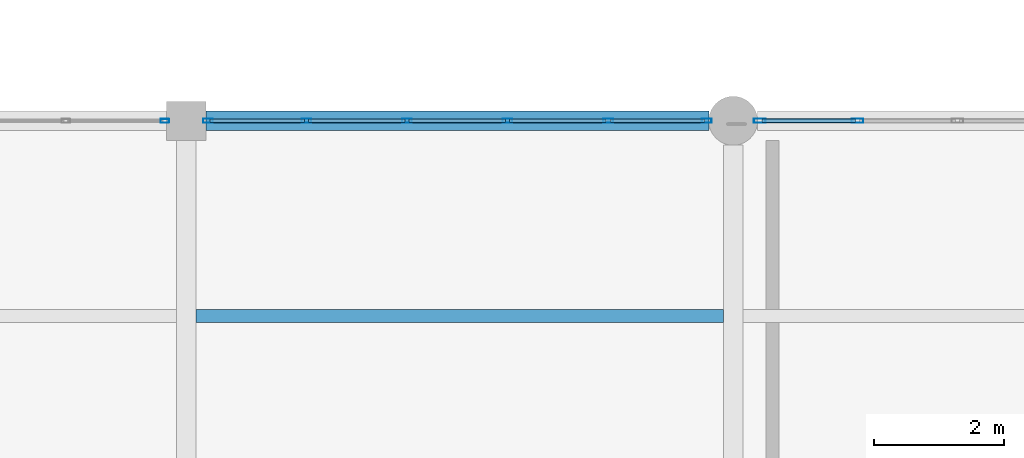
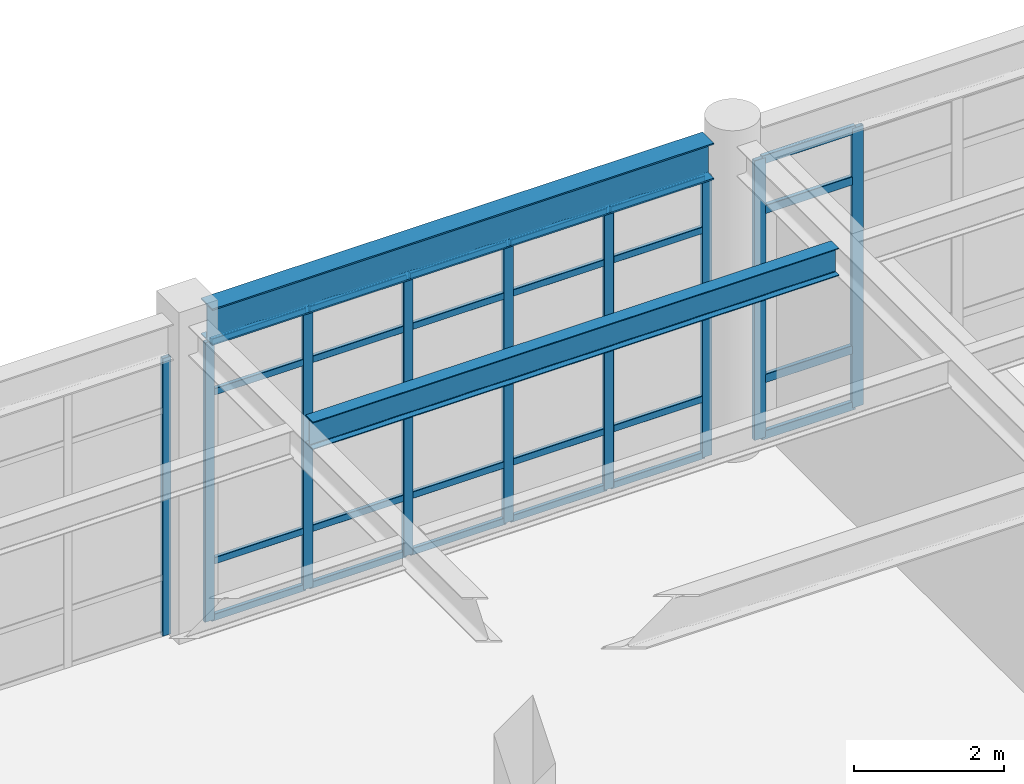
# One storey, part 42 of 80: 33 members, 2 beams, 3 elements without a shape of their own.
"""IFC4 building model written with IfcOpenShell, lengths in metres."""

from ifc_helpers import new_model, si_unit, direction, frame, origin, origin_2d, place, context, subcontext, project, spatial, hollow_rectangle, i_section, extrude, material, material_profile, profile_set, type_object, element, aggregate, save


model = new_model("IFC4")

# Units and contexts
model_context = context("Model", 3, precision=1e-05, world=origin(), true_north=direction((0.0, 1.0)))
body_context = subcontext(model_context, "Body", "Model", "MODEL_VIEW")
ifc_project = project(units=[si_unit("LENGTHUNIT", "METRE"), si_unit("AREAUNIT", "SQUARE_METRE"), si_unit("VOLUMEUNIT", "CUBIC_METRE"), si_unit("PLANEANGLEUNIT", "RADIAN"), si_unit("MASSUNIT", "GRAM", prefix="KILO")], contexts=[model_context])

# Site, building, storey
site_placement = place(None, origin())
site = spatial("IfcSite", under=ifc_project, at=site_placement, CompositionType="ELEMENT")
building_placement = place(site_placement, origin())
building = spatial("IfcBuilding", under=site, at=building_placement, Name="Canglan Escarpment Cableway Terminal", CompositionType="ELEMENT")
storey_placement = place(building_placement, frame((0.0, 0.0, 19.199951171875)))
storey = spatial("IfcBuildingStorey", under=building, at=storey_placement, Name="L04", CompositionType="ELEMENT", Elevation=19.199951171875)

# Beam
ifc_material_1 = material(Name="Steel Q355C", Category="steel")
ifc_material_profile_1 = material_profile(ifc_material_1, i_section(OverallWidth=0.302001953125, OverallDepth=0.593994140625, WebThickness=0.013916015625, FlangeThickness=0.02294921875, FilletRadius=0.028076171875, at=origin_2d()), Name="HM 594x302x14x23")
ifc_profile_set_1 = profile_set([ifc_material_profile_1], Name="Steel Q355C")
beam_type_1 = type_object("IfcBeamType", Name="BM-HM594", PredefinedType="BEAM", material=ifc_profile_set_1)
beam_1_placement = place(storey_placement, frame((120.199951171875, 115.0, 4.863037109375), z_axis=(1.0, 0.0, 0.0), x_axis=(0.0, 1.0, 0.0)))
element("IfcBeam", 1, at=beam_1_placement, inside=storey, type_object=beam_type_1, Name="Primary structural girder B-07", PredefinedType="BEAM", context=body_context, shape_type="SweptSolid", body=[
    extrude(i_section(OverallWidth=0.302001953125, OverallDepth=0.593994140625, WebThickness=0.013916015625, FlangeThickness=0.02294921875, FilletRadius=0.028076171875, at=origin_2d()), origin(), (0.0, 0.0, 1.0), 7.72509765625),
])

# Curtain wall, member
ifc_material_2 = material(Name="Anodized bronze aluminium and Low-E double glazing", Category="aluminium")
curtain_wall_type_1 = type_object("IfcCurtainWallType", Name="CW-BAY-7750x4525", PredefinedType="NOTDEFINED", material=ifc_material_2)
curtain_wall_1_placement = place(storey_placement, origin())
curtain_wall_1 = element("IfcCurtainWall", 2, at=curtain_wall_1_placement, inside=storey, type_object=curtain_wall_type_1, Name="Classical bay-between-piers glazed curtain wall CW-52", PredefinedType="NOTDEFINED")
ifc_material_3 = material(Name="Thermally broken anodized aluminium 6063-T6", Category="aluminium")
ifc_material_profile_2 = material_profile(ifc_material_3, hollow_rectangle(XDim=0.06005859375, YDim=0.1298828125, WallThickness=0.0029296875, InnerFilletRadius=0.0029296875, OuterFilletRadius=0.006103515625, at=origin_2d()), Name="ALU-MULL 60x130x3")
ifc_profile_set_2 = profile_set([ifc_material_profile_2], Name="Thermally broken anodized aluminium 6063-T6")
member_type_1 = type_object("IfcMemberType", Name="CWM-01", PredefinedType="MULLION", material=ifc_profile_set_2)
member_1_placement = place(storey_placement, frame((119.570068359375, 115.0, 0.0), z_axis=(0.0, 0.0, 1.0), x_axis=(0.0, -1.0, 0.0)))
member_1 = element("IfcMember", 3, at=member_1_placement, type_object=member_type_1, Name="CW-52 mullion 1", PredefinedType="MULLION", context=body_context, shape_type="SweptSolid", body=[
    extrude(hollow_rectangle(XDim=0.06005859375, YDim=0.1298828125, WallThickness=0.0029296875, InnerFilletRadius=0.0029296875, OuterFilletRadius=0.006103515625, at=origin_2d()), origin(), (0.0, 0.0, 1.0), 4.52099609375),
])
aggregate(curtain_wall_1, [member_1])

# Curtain wall, members
curtain_wall_type_2 = type_object("IfcCurtainWallType", Name="CW-BAY-7725x4550", PredefinedType="NOTDEFINED", material=ifc_material_2)
curtain_wall_2_placement = place(storey_placement, origin())
curtain_wall_2 = element("IfcCurtainWall", 4, at=curtain_wall_2_placement, inside=storey, type_object=curtain_wall_type_2, Name="Classical bay-between-piers glazed curtain wall CW-53", PredefinedType="NOTDEFINED")
ifc_material_profile_3 = material_profile(ifc_material_3, hollow_rectangle(XDim=0.06494140625, YDim=0.14990234375, WallThickness=0.00341796875, InnerFilletRadius=0.00341796875, OuterFilletRadius=0.007080078125, at=origin_2d()), Name="ALU-MULL 65x150x3.5")
ifc_profile_set_3 = profile_set([ifc_material_profile_3], Name="Thermally broken anodized aluminium 6063-T6")
member_type_2 = type_object("IfcMemberType", Name="CWM-02", PredefinedType="MULLION", material=ifc_profile_set_3)
member_2_placement = place(storey_placement, frame((127.892578125, 115.0, 0.0), z_axis=(0.0, 0.0, 1.0), x_axis=(0.0, -1.0, 0.0)))
member_2 = element("IfcMember", 5, at=member_2_placement, type_object=member_type_2, Name="CW-53 mullion 1", PredefinedType="MULLION", context=body_context, shape_type="SweptSolid", body=[
    extrude(hollow_rectangle(XDim=0.06494140625, YDim=0.14990234375, WallThickness=0.00341796875, InnerFilletRadius=0.00341796875, OuterFilletRadius=0.007080078125, at=origin_2d()), origin(), (0.0, 0.0, 1.0), 4.551025390625),
])
member_3_placement = place(storey_placement, frame((126.3798828125, 115.0, 0.0), z_axis=(0.0, 0.0, 1.0), x_axis=(0.0, -1.0, 0.0)))
member_3 = element("IfcMember", 6, at=member_3_placement, type_object=member_type_2, Name="CW-53 mullion 2", PredefinedType="MULLION", context=body_context, shape_type="SweptSolid", body=[
    extrude(hollow_rectangle(XDim=0.06494140625, YDim=0.14990234375, WallThickness=0.00341796875, InnerFilletRadius=0.00341796875, OuterFilletRadius=0.007080078125, at=origin_2d()), origin(), (0.0, 0.0, 1.0), 4.551025390625),
])
member_4_placement = place(storey_placement, frame((124.8349609375, 115.0, 0.0), z_axis=(0.0, 0.0, 1.0), x_axis=(0.0, -1.0, 0.0)))
member_4 = element("IfcMember", 7, at=member_4_placement, type_object=member_type_2, Name="CW-53 mullion 3", PredefinedType="MULLION", context=body_context, shape_type="SweptSolid", body=[
    extrude(hollow_rectangle(XDim=0.06494140625, YDim=0.14990234375, WallThickness=0.00341796875, InnerFilletRadius=0.00341796875, OuterFilletRadius=0.007080078125, at=origin_2d()), origin(), (0.0, 0.0, 1.0), 4.551025390625),
])
member_5_placement = place(storey_placement, frame((123.2900390625, 115.0, 0.0), z_axis=(0.0, 0.0, 1.0), x_axis=(0.0, -1.0, 0.0)))
member_5 = element("IfcMember", 8, at=member_5_placement, type_object=member_type_2, Name="CW-53 mullion 4", PredefinedType="MULLION", context=body_context, shape_type="SweptSolid", body=[
    extrude(hollow_rectangle(XDim=0.06494140625, YDim=0.14990234375, WallThickness=0.00341796875, InnerFilletRadius=0.00341796875, OuterFilletRadius=0.007080078125, at=origin_2d()), origin(), (0.0, 0.0, 1.0), 4.551025390625),
])
member_6_placement = place(storey_placement, frame((121.7451171875, 115.0, 0.0), z_axis=(0.0, 0.0, 1.0), x_axis=(0.0, -1.0, 0.0)))
member_6 = element("IfcMember", 9, at=member_6_placement, type_object=member_type_2, Name="CW-53 mullion 5", PredefinedType="MULLION", context=body_context, shape_type="SweptSolid", body=[
    extrude(hollow_rectangle(XDim=0.06494140625, YDim=0.14990234375, WallThickness=0.00341796875, InnerFilletRadius=0.00341796875, OuterFilletRadius=0.007080078125, at=origin_2d()), origin(), (0.0, 0.0, 1.0), 4.551025390625),
])
member_7_placement = place(storey_placement, frame((120.232421875, 115.0, 0.0), z_axis=(0.0, 0.0, 1.0), x_axis=(0.0, -1.0, 0.0)))
member_7 = element("IfcMember", 10, at=member_7_placement, type_object=member_type_2, Name="CW-53 mullion 6", PredefinedType="MULLION", context=body_context, shape_type="SweptSolid", body=[
    extrude(hollow_rectangle(XDim=0.06494140625, YDim=0.14990234375, WallThickness=0.00341796875, InnerFilletRadius=0.00341796875, OuterFilletRadius=0.007080078125, at=origin_2d()), origin(), (0.0, 0.0, 1.0), 4.551025390625),
])

curtain_wall_type_3 = type_object("IfcCurtainWallType", Name="CW-BAY-7675x4550", PredefinedType="NOTDEFINED", material=ifc_material_2)
curtain_wall_3_placement = place(storey_placement, origin())
curtain_wall_3 = element("IfcCurtainWall", 11, at=curtain_wall_3_placement, inside=storey, type_object=curtain_wall_type_3, Name="Classical bay-between-piers glazed curtain wall CW-54", PredefinedType="NOTDEFINED")
ifc_material_profile_4 = material_profile(ifc_material_3, hollow_rectangle(XDim=0.06494140625, YDim=0.179931640625, WallThickness=0.00390625, InnerFilletRadius=0.00390625, OuterFilletRadius=0.008056640625, at=origin_2d()), Name="ALU-MULL 65x180x4")
ifc_profile_set_4 = profile_set([ifc_material_profile_4], Name="Thermally broken anodized aluminium 6063-T6")
member_type_3 = type_object("IfcMemberType", Name="CWM-03", PredefinedType="MULLION", material=ifc_profile_set_4)
member_8_placement = place(storey_placement, frame((130.2099609375, 115.0, 0.0), z_axis=(0.0, 0.0, 1.0), x_axis=(0.0, -1.0, 0.0)))
member_8 = element("IfcMember", 12, at=member_8_placement, type_object=member_type_3, Name="CW-54 mullion 5", PredefinedType="MULLION", context=body_context, shape_type="SweptSolid", body=[
    extrude(hollow_rectangle(XDim=0.06494140625, YDim=0.179931640625, WallThickness=0.00390625, InnerFilletRadius=0.00390625, OuterFilletRadius=0.008056640625, at=origin_2d()), origin(), (0.0, 0.0, 1.0), 4.551025390625),
])
member_9_placement = place(storey_placement, frame((128.70751953125, 115.0, 0.0), z_axis=(0.0, 0.0, 1.0), x_axis=(0.0, -1.0, 0.0)))
member_9 = element("IfcMember", 13, at=member_9_placement, type_object=member_type_3, Name="CW-54 mullion 6", PredefinedType="MULLION", context=body_context, shape_type="SweptSolid", body=[
    extrude(hollow_rectangle(XDim=0.06494140625, YDim=0.179931640625, WallThickness=0.00390625, InnerFilletRadius=0.00390625, OuterFilletRadius=0.008056640625, at=origin_2d()), origin(), (0.0, 0.0, 1.0), 4.551025390625),
])

# Member
ifc_material_profile_5 = material_profile(ifc_material_3, hollow_rectangle(XDim=0.06005859375, YDim=0.110107421875, WallThickness=0.0029296875, InnerFilletRadius=0.0029296875, OuterFilletRadius=0.006103515625, at=origin_2d()), Name="ALU-TRAN 60x110x3")
ifc_profile_set_5 = profile_set([ifc_material_profile_5], Name="Thermally broken anodized aluminium 6063-T6")
member_type_4 = type_object("IfcMemberType", Name="CWT-02", PredefinedType="USERDEFINED", material=ifc_profile_set_5)
member_10_placement = place(storey_placement, frame((127.860107421875, 115.0, 0.030029296875), z_axis=(-1.0, 0.0, 0.0), x_axis=(0.0, -1.0, 0.0)))
member_10 = element("IfcMember", 14, at=member_10_placement, type_object=member_type_4, Name="CW-53 transom 1.1", ObjectType="TRANSOM", PredefinedType="USERDEFINED", context=body_context, shape_type="SweptSolid", body=[
    extrude(hollow_rectangle(XDim=0.06005859375, YDim=0.110107421875, WallThickness=0.0029296875, InnerFilletRadius=0.0029296875, OuterFilletRadius=0.006103515625, at=origin_2d()), origin(), (0.0, 0.0, 1.0), 1.447509765625),
])

member_11_placement = place(storey_placement, frame((127.860107421875, 115.0, 0.949951171875), z_axis=(-1.0, 0.0, 0.0), x_axis=(0.0, -1.0, 0.0)))
member_11 = element("IfcMember", 15, at=member_11_placement, type_object=member_type_4, Name="CW-53 transom 1.2", ObjectType="TRANSOM", PredefinedType="USERDEFINED", context=body_context, shape_type="SweptSolid", body=[
    extrude(hollow_rectangle(XDim=0.06005859375, YDim=0.110107421875, WallThickness=0.0029296875, InnerFilletRadius=0.0029296875, OuterFilletRadius=0.006103515625, at=origin_2d()), origin(), (0.0, 0.0, 1.0), 1.447509765625),
])

member_12_placement = place(storey_placement, frame((127.860107421875, 115.0, 3.700927734375), z_axis=(-1.0, 0.0, 0.0), x_axis=(0.0, -1.0, 0.0)))
member_12 = element("IfcMember", 16, at=member_12_placement, type_object=member_type_4, Name="CW-53 transom 1.3", ObjectType="TRANSOM", PredefinedType="USERDEFINED", context=body_context, shape_type="SweptSolid", body=[
    extrude(hollow_rectangle(XDim=0.06005859375, YDim=0.110107421875, WallThickness=0.0029296875, InnerFilletRadius=0.0029296875, OuterFilletRadius=0.006103515625, at=origin_2d()), origin(), (0.0, 0.0, 1.0), 1.447509765625),
])

member_13_placement = place(storey_placement, frame((127.860107421875, 115.0, 4.52099609375), z_axis=(-1.0, 0.0, 0.0), x_axis=(0.0, -1.0, 0.0)))
member_13 = element("IfcMember", 17, at=member_13_placement, type_object=member_type_4, Name="CW-53 transom 1.4", ObjectType="TRANSOM", PredefinedType="USERDEFINED", context=body_context, shape_type="SweptSolid", body=[
    extrude(hollow_rectangle(XDim=0.06005859375, YDim=0.110107421875, WallThickness=0.0029296875, InnerFilletRadius=0.0029296875, OuterFilletRadius=0.006103515625, at=origin_2d()), origin(), (0.0, 0.0, 1.0), 1.447509765625),
])

member_14_placement = place(storey_placement, frame((126.347412109375, 115.0, 0.030029296875), z_axis=(-1.0, 0.0, 0.0), x_axis=(0.0, -1.0, 0.0)))
member_14 = element("IfcMember", 18, at=member_14_placement, type_object=member_type_4, Name="CW-53 transom 2.1", ObjectType="TRANSOM", PredefinedType="USERDEFINED", context=body_context, shape_type="SweptSolid", body=[
    extrude(hollow_rectangle(XDim=0.06005859375, YDim=0.110107421875, WallThickness=0.0029296875, InnerFilletRadius=0.0029296875, OuterFilletRadius=0.006103515625, at=origin_2d()), origin(), (0.0, 0.0, 1.0), 1.47998046875),
])

member_15_placement = place(storey_placement, frame((126.347412109375, 115.0, 0.949951171875), z_axis=(-1.0, 0.0, 0.0), x_axis=(0.0, -1.0, 0.0)))
member_15 = element("IfcMember", 19, at=member_15_placement, type_object=member_type_4, Name="CW-53 transom 2.2", ObjectType="TRANSOM", PredefinedType="USERDEFINED", context=body_context, shape_type="SweptSolid", body=[
    extrude(hollow_rectangle(XDim=0.06005859375, YDim=0.110107421875, WallThickness=0.0029296875, InnerFilletRadius=0.0029296875, OuterFilletRadius=0.006103515625, at=origin_2d()), origin(), (0.0, 0.0, 1.0), 1.47998046875),
])

member_16_placement = place(storey_placement, frame((126.347412109375, 115.0, 3.700927734375), z_axis=(-1.0, 0.0, 0.0), x_axis=(0.0, -1.0, 0.0)))
member_16 = element("IfcMember", 20, at=member_16_placement, type_object=member_type_4, Name="CW-53 transom 2.3", ObjectType="TRANSOM", PredefinedType="USERDEFINED", context=body_context, shape_type="SweptSolid", body=[
    extrude(hollow_rectangle(XDim=0.06005859375, YDim=0.110107421875, WallThickness=0.0029296875, InnerFilletRadius=0.0029296875, OuterFilletRadius=0.006103515625, at=origin_2d()), origin(), (0.0, 0.0, 1.0), 1.47998046875),
])

member_17_placement = place(storey_placement, frame((126.347412109375, 115.0, 4.52099609375), z_axis=(-1.0, 0.0, 0.0), x_axis=(0.0, -1.0, 0.0)))
member_17 = element("IfcMember", 21, at=member_17_placement, type_object=member_type_4, Name="CW-53 transom 2.4", ObjectType="TRANSOM", PredefinedType="USERDEFINED", context=body_context, shape_type="SweptSolid", body=[
    extrude(hollow_rectangle(XDim=0.06005859375, YDim=0.110107421875, WallThickness=0.0029296875, InnerFilletRadius=0.0029296875, OuterFilletRadius=0.006103515625, at=origin_2d()), origin(), (0.0, 0.0, 1.0), 1.47998046875),
])

member_18_placement = place(storey_placement, frame((124.802490234375, 115.0, 0.030029296875), z_axis=(-1.0, 0.0, 0.0), x_axis=(0.0, -1.0, 0.0)))
member_18 = element("IfcMember", 22, at=member_18_placement, type_object=member_type_4, Name="CW-53 transom 3.1", ObjectType="TRANSOM", PredefinedType="USERDEFINED", context=body_context, shape_type="SweptSolid", body=[
    extrude(hollow_rectangle(XDim=0.06005859375, YDim=0.110107421875, WallThickness=0.0029296875, InnerFilletRadius=0.0029296875, OuterFilletRadius=0.006103515625, at=origin_2d()), origin(), (0.0, 0.0, 1.0), 1.47998046875),
])

member_19_placement = place(storey_placement, frame((124.802490234375, 115.0, 0.949951171875), z_axis=(-1.0, 0.0, 0.0), x_axis=(0.0, -1.0, 0.0)))
member_19 = element("IfcMember", 23, at=member_19_placement, type_object=member_type_4, Name="CW-53 transom 3.2", ObjectType="TRANSOM", PredefinedType="USERDEFINED", context=body_context, shape_type="SweptSolid", body=[
    extrude(hollow_rectangle(XDim=0.06005859375, YDim=0.110107421875, WallThickness=0.0029296875, InnerFilletRadius=0.0029296875, OuterFilletRadius=0.006103515625, at=origin_2d()), origin(), (0.0, 0.0, 1.0), 1.47998046875),
])

member_20_placement = place(storey_placement, frame((124.802490234375, 115.0, 3.700927734375), z_axis=(-1.0, 0.0, 0.0), x_axis=(0.0, -1.0, 0.0)))
member_20 = element("IfcMember", 24, at=member_20_placement, type_object=member_type_4, Name="CW-53 transom 3.3", ObjectType="TRANSOM", PredefinedType="USERDEFINED", context=body_context, shape_type="SweptSolid", body=[
    extrude(hollow_rectangle(XDim=0.06005859375, YDim=0.110107421875, WallThickness=0.0029296875, InnerFilletRadius=0.0029296875, OuterFilletRadius=0.006103515625, at=origin_2d()), origin(), (0.0, 0.0, 1.0), 1.47998046875),
])

member_21_placement = place(storey_placement, frame((124.802490234375, 115.0, 4.52099609375), z_axis=(-1.0, 0.0, 0.0), x_axis=(0.0, -1.0, 0.0)))
member_21 = element("IfcMember", 25, at=member_21_placement, type_object=member_type_4, Name="CW-53 transom 3.4", ObjectType="TRANSOM", PredefinedType="USERDEFINED", context=body_context, shape_type="SweptSolid", body=[
    extrude(hollow_rectangle(XDim=0.06005859375, YDim=0.110107421875, WallThickness=0.0029296875, InnerFilletRadius=0.0029296875, OuterFilletRadius=0.006103515625, at=origin_2d()), origin(), (0.0, 0.0, 1.0), 1.47998046875),
])

member_22_placement = place(storey_placement, frame((123.257568359375, 115.0, 0.030029296875), z_axis=(-1.0, 0.0, 0.0), x_axis=(0.0, -1.0, 0.0)))
member_22 = element("IfcMember", 26, at=member_22_placement, type_object=member_type_4, Name="CW-53 transom 4.1", ObjectType="TRANSOM", PredefinedType="USERDEFINED", context=body_context, shape_type="SweptSolid", body=[
    extrude(hollow_rectangle(XDim=0.06005859375, YDim=0.110107421875, WallThickness=0.0029296875, InnerFilletRadius=0.0029296875, OuterFilletRadius=0.006103515625, at=origin_2d()), origin(), (0.0, 0.0, 1.0), 1.47998046875),
])

member_23_placement = place(storey_placement, frame((123.257568359375, 115.0, 0.949951171875), z_axis=(-1.0, 0.0, 0.0), x_axis=(0.0, -1.0, 0.0)))
member_23 = element("IfcMember", 27, at=member_23_placement, type_object=member_type_4, Name="CW-53 transom 4.2", ObjectType="TRANSOM", PredefinedType="USERDEFINED", context=body_context, shape_type="SweptSolid", body=[
    extrude(hollow_rectangle(XDim=0.06005859375, YDim=0.110107421875, WallThickness=0.0029296875, InnerFilletRadius=0.0029296875, OuterFilletRadius=0.006103515625, at=origin_2d()), origin(), (0.0, 0.0, 1.0), 1.47998046875),
])

member_24_placement = place(storey_placement, frame((123.257568359375, 115.0, 3.700927734375), z_axis=(-1.0, 0.0, 0.0), x_axis=(0.0, -1.0, 0.0)))
member_24 = element("IfcMember", 28, at=member_24_placement, type_object=member_type_4, Name="CW-53 transom 4.3", ObjectType="TRANSOM", PredefinedType="USERDEFINED", context=body_context, shape_type="SweptSolid", body=[
    extrude(hollow_rectangle(XDim=0.06005859375, YDim=0.110107421875, WallThickness=0.0029296875, InnerFilletRadius=0.0029296875, OuterFilletRadius=0.006103515625, at=origin_2d()), origin(), (0.0, 0.0, 1.0), 1.47998046875),
])

member_25_placement = place(storey_placement, frame((123.257568359375, 115.0, 4.52099609375), z_axis=(-1.0, 0.0, 0.0), x_axis=(0.0, -1.0, 0.0)))
member_25 = element("IfcMember", 29, at=member_25_placement, type_object=member_type_4, Name="CW-53 transom 4.4", ObjectType="TRANSOM", PredefinedType="USERDEFINED", context=body_context, shape_type="SweptSolid", body=[
    extrude(hollow_rectangle(XDim=0.06005859375, YDim=0.110107421875, WallThickness=0.0029296875, InnerFilletRadius=0.0029296875, OuterFilletRadius=0.006103515625, at=origin_2d()), origin(), (0.0, 0.0, 1.0), 1.47998046875),
])

member_26_placement = place(storey_placement, frame((121.71240234375, 115.0, 0.030029296875), z_axis=(-1.0, 0.0, 0.0), x_axis=(0.0, -1.0, 0.0)))
member_26 = element("IfcMember", 30, at=member_26_placement, type_object=member_type_4, Name="CW-53 transom 5.1", ObjectType="TRANSOM", PredefinedType="USERDEFINED", context=body_context, shape_type="SweptSolid", body=[
    extrude(hollow_rectangle(XDim=0.06005859375, YDim=0.110107421875, WallThickness=0.0029296875, InnerFilletRadius=0.0029296875, OuterFilletRadius=0.006103515625, at=origin_2d()), origin(), (0.0, 0.0, 1.0), 1.447509765625),
])

member_27_placement = place(storey_placement, frame((121.71240234375, 115.0, 0.949951171875), z_axis=(-1.0, 0.0, 0.0), x_axis=(0.0, -1.0, 0.0)))
member_27 = element("IfcMember", 31, at=member_27_placement, type_object=member_type_4, Name="CW-53 transom 5.2", ObjectType="TRANSOM", PredefinedType="USERDEFINED", context=body_context, shape_type="SweptSolid", body=[
    extrude(hollow_rectangle(XDim=0.06005859375, YDim=0.110107421875, WallThickness=0.0029296875, InnerFilletRadius=0.0029296875, OuterFilletRadius=0.006103515625, at=origin_2d()), origin(), (0.0, 0.0, 1.0), 1.447509765625),
])

member_28_placement = place(storey_placement, frame((121.71240234375, 115.0, 3.700927734375), z_axis=(-1.0, 0.0, 0.0), x_axis=(0.0, -1.0, 0.0)))
member_28 = element("IfcMember", 32, at=member_28_placement, type_object=member_type_4, Name="CW-53 transom 5.3", ObjectType="TRANSOM", PredefinedType="USERDEFINED", context=body_context, shape_type="SweptSolid", body=[
    extrude(hollow_rectangle(XDim=0.06005859375, YDim=0.110107421875, WallThickness=0.0029296875, InnerFilletRadius=0.0029296875, OuterFilletRadius=0.006103515625, at=origin_2d()), origin(), (0.0, 0.0, 1.0), 1.447509765625),
])

member_29_placement = place(storey_placement, frame((121.71240234375, 115.0, 4.52099609375), z_axis=(-1.0, 0.0, 0.0), x_axis=(0.0, -1.0, 0.0)))
member_29 = element("IfcMember", 33, at=member_29_placement, type_object=member_type_4, Name="CW-53 transom 5.4", ObjectType="TRANSOM", PredefinedType="USERDEFINED", context=body_context, shape_type="SweptSolid", body=[
    extrude(hollow_rectangle(XDim=0.06005859375, YDim=0.110107421875, WallThickness=0.0029296875, InnerFilletRadius=0.0029296875, OuterFilletRadius=0.006103515625, at=origin_2d()), origin(), (0.0, 0.0, 1.0), 1.447509765625),
])

aggregate(curtain_wall_2, [member_2, member_3, member_4, member_5, member_6, member_7, member_10, member_11, member_12, member_13, member_14, member_15, member_16, member_17, member_18, member_19, member_20, member_21, member_22, member_23, member_24, member_25, member_26, member_27, member_28, member_29])

ifc_material_profile_6 = material_profile(ifc_material_3, hollow_rectangle(XDim=0.06494140625, YDim=0.139892578125, WallThickness=0.00341796875, InnerFilletRadius=0.00341796875, OuterFilletRadius=0.007080078125, at=origin_2d()), Name="ALU-TRAN 65x140x3.5")
ifc_profile_set_6 = profile_set([ifc_material_profile_6], Name="Thermally broken anodized aluminium 6063-T6")
member_type_5 = type_object("IfcMemberType", Name="CWT-03", PredefinedType="USERDEFINED", material=ifc_profile_set_6)
member_30_placement = place(storey_placement, frame((130.177490234375, 115.0, 0.032470703125), z_axis=(-1.0, 0.0, 0.0), x_axis=(0.0, -1.0, 0.0)))
member_30 = element("IfcMember", 34, at=member_30_placement, type_object=member_type_5, Name="CW-54 transom 5.1", ObjectType="TRANSOM", PredefinedType="USERDEFINED", context=body_context, shape_type="SweptSolid", body=[
    extrude(hollow_rectangle(XDim=0.06494140625, YDim=0.139892578125, WallThickness=0.00341796875, InnerFilletRadius=0.00341796875, OuterFilletRadius=0.007080078125, at=origin_2d()), origin(), (0.0, 0.0, 1.0), 1.4375),
])

member_31_placement = place(storey_placement, frame((130.177490234375, 115.0, 0.949951171875), z_axis=(-1.0, 0.0, 0.0), x_axis=(0.0, -1.0, 0.0)))
member_31 = element("IfcMember", 35, at=member_31_placement, type_object=member_type_5, Name="CW-54 transom 5.2", ObjectType="TRANSOM", PredefinedType="USERDEFINED", context=body_context, shape_type="SweptSolid", body=[
    extrude(hollow_rectangle(XDim=0.06494140625, YDim=0.139892578125, WallThickness=0.00341796875, InnerFilletRadius=0.00341796875, OuterFilletRadius=0.007080078125, at=origin_2d()), origin(), (0.0, 0.0, 1.0), 1.4375),
])

member_32_placement = place(storey_placement, frame((130.177490234375, 115.0, 3.700927734375), z_axis=(-1.0, 0.0, 0.0), x_axis=(0.0, -1.0, 0.0)))
member_32 = element("IfcMember", 36, at=member_32_placement, type_object=member_type_5, Name="CW-54 transom 5.3", ObjectType="TRANSOM", PredefinedType="USERDEFINED", context=body_context, shape_type="SweptSolid", body=[
    extrude(hollow_rectangle(XDim=0.06494140625, YDim=0.139892578125, WallThickness=0.00341796875, InnerFilletRadius=0.00341796875, OuterFilletRadius=0.007080078125, at=origin_2d()), origin(), (0.0, 0.0, 1.0), 1.4375),
])

member_33_placement = place(storey_placement, frame((130.177490234375, 115.0, 4.5185546875), z_axis=(-1.0, 0.0, 0.0), x_axis=(0.0, -1.0, 0.0)))
member_33 = element("IfcMember", 37, at=member_33_placement, type_object=member_type_5, Name="CW-54 transom 5.4", ObjectType="TRANSOM", PredefinedType="USERDEFINED", context=body_context, shape_type="SweptSolid", body=[
    extrude(hollow_rectangle(XDim=0.06494140625, YDim=0.139892578125, WallThickness=0.00341796875, InnerFilletRadius=0.00341796875, OuterFilletRadius=0.007080078125, at=origin_2d()), origin(), (0.0, 0.0, 1.0), 1.4375),
])

aggregate(curtain_wall_3, [member_8, member_9, member_30, member_31, member_32, member_33])

# Beam
ifc_material_4 = material(Name="Steel Q355B", Category="steel")
ifc_material_profile_7 = material_profile(ifc_material_4, i_section(OverallWidth=0.199951171875, OverallDepth=0.449951171875, WebThickness=0.009033203125, FlangeThickness=0.013916015625, FilletRadius=0.01806640625, at=origin_2d()), Name="HN 450x200x9x14")
ifc_profile_set_7 = profile_set([ifc_material_profile_7], Name="Steel Q355B")
beam_type_2 = type_object("IfcBeamType", Name="JS-HN450", PredefinedType="JOIST", material=ifc_profile_set_7)
beam_2_placement = place(storey_placement, frame((120.050048828125, 112.0, 4.93505859375), z_axis=(1.0, 0.0, 0.0), x_axis=(0.0, 1.0, 0.0)))
element("IfcBeam", 38, at=beam_2_placement, inside=storey, type_object=beam_type_2, Name="Secondary composite deck joist J-02", PredefinedType="JOIST", context=body_context, shape_type="SweptSolid", body=[
    extrude(i_section(OverallWidth=0.199951171875, OverallDepth=0.449951171875, WebThickness=0.009033203125, FlangeThickness=0.013916015625, FilletRadius=0.01806640625, at=origin_2d()), origin(), (0.0, 0.0, 1.0), 8.099853515625),
])

save(model, "model.ifc")
